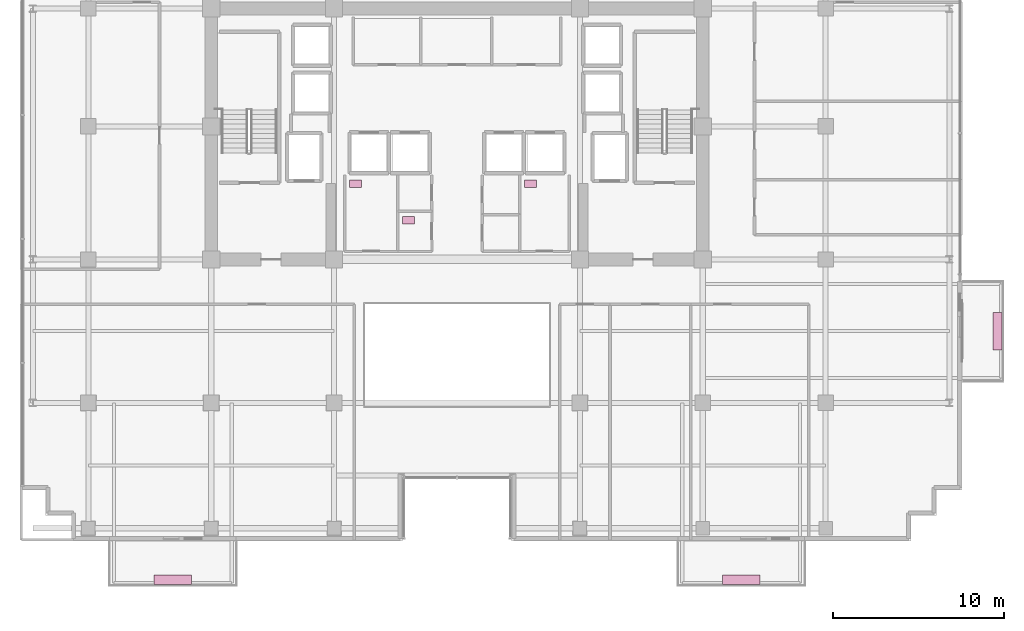
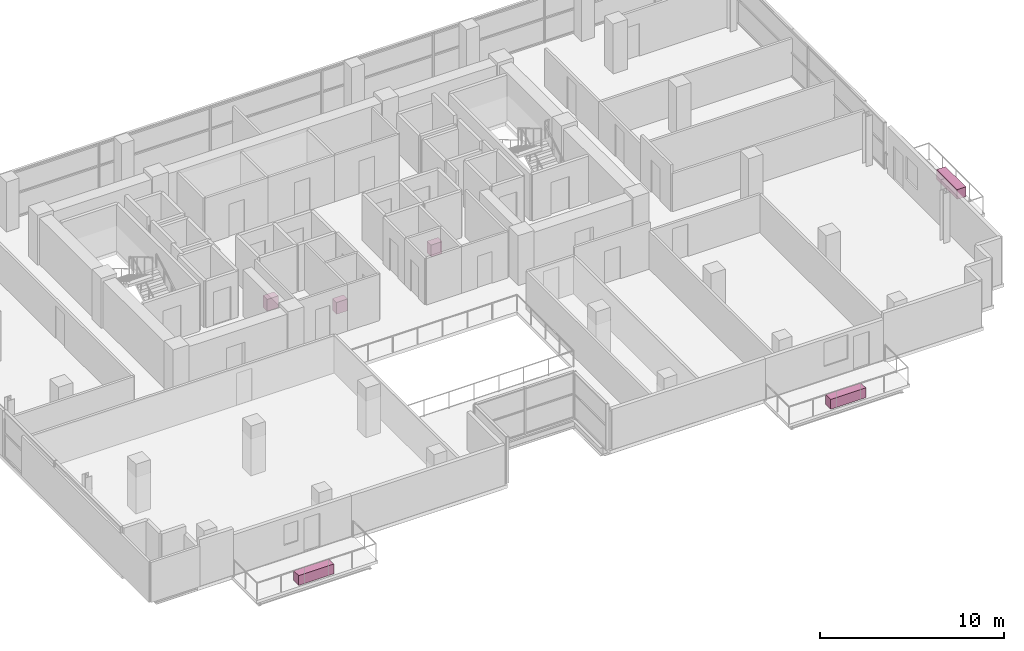
# One storey, part 24 of 24: 6 furnishings.
"""IFC4 building model written with IfcOpenShell, lengths in metres."""

import ifcopenshell
import ifcopenshell.guid

model = None  # the IFC model being written
_history = None  # IfcOwnerHistory: only IFC2X3 demands one
_inside = {}  # id of a spatial element -> (the spatial element, [elements in it])
_under = {}  # id of a project, library or spatial element -> (it, [spatial elements below it])
_declared = {}  # id of a project -> (the project, [libraries it declares])
_typed = {}  # id of a type object -> (the type object, [elements of that type])
_made_of = {}  # id of a material, layer set ... -> (it, [elements and type objects made of it])


def new_model(schema):
    """Start an empty IFC model of exactly this schema.

    Asked for "IFC4X3", IfcOpenShell would pick the latest addendum, in which some entities
    have other attributes; the version numbers below select the first issue.
    IFC2X3 requires an IfcOwnerHistory on every rooted entity: one is made here for all.
    """
    global model, _history
    if schema == "IFC4X3":
        model = ifcopenshell.file(schema_version=(4, 3, 0, 0))
    else:
        model = ifcopenshell.file(schema=schema)
    _inside.clear()
    _under.clear()
    _declared.clear()
    _typed.clear()
    _made_of.clear()
    _history = None
    if model.schema == "IFC2X3":
        org = make("IfcOrganization", Name="unknown")
        user = make(
            "IfcPersonAndOrganization",
            ThePerson=make("IfcPerson", FamilyName="unknown"),
            TheOrganization=org,
        )
        app = make(
            "IfcApplication",
            ApplicationDeveloper=org,
            Version="unknown",
            ApplicationFullName="unknown",
            ApplicationIdentifier="unknown",
        )
        _history = make(
            "IfcOwnerHistory",
            OwningUser=user,
            OwningApplication=app,
            ChangeAction="ADDED",
            CreationDate=0,
        )
    return model


def make(cls, **values):
    """One entity of the class cls with the attributes given. An attribute that is None is left unset."""
    return model.create_entity(
        cls, **{name: value for name, value in values.items() if value is not None}
    )


def rooted(cls, **values):
    """An entity with a GlobalId (a new one), such as an element, a storey or a relation."""
    return make(cls, GlobalId=ifcopenshell.guid.new(), OwnerHistory=_history, **values)


def si_unit(unit_type, name, prefix=None):
    """IfcSIUnit, for example si_unit("LENGTHUNIT", "METRE", prefix="MILLI")."""
    return make("IfcSIUnit", UnitType=unit_type, Prefix=prefix, Name=name)


def assignment(units):
    """IfcUnitAssignment: the units of a project."""
    return None if units is None else make("IfcUnitAssignment", Units=units)


def point(xyz):
    """IfcCartesianPoint."""
    return None if xyz is None else make("IfcCartesianPoint", Coordinates=xyz)


def direction(xyz):
    """IfcDirection."""
    return None if xyz is None else make("IfcDirection", DirectionRatios=xyz)


def frame(location, z_axis=None, x_axis=None):
    """IfcAxis2Placement3D, a coordinate frame: its origin and axes. An axis left out is left unset."""
    return make(
        "IfcAxis2Placement3D",
        Location=point(location),
        Axis=direction(z_axis),
        RefDirection=direction(x_axis),
    )


def frame_2d(location, x_axis=None):
    """IfcAxis2Placement2D, a coordinate frame in the plane: its origin and x axis."""
    return make(
        "IfcAxis2Placement2D", Location=point(location), RefDirection=direction(x_axis)
    )


def origin():
    """The frame at (0, 0, 0) with its axes left unset."""
    return frame((0.0, 0.0, 0.0))


def origin_2d():
    """The frame at (0, 0) in the plane with its x axis left unset."""
    return frame_2d((0.0, 0.0))


def place(relative_to, where):
    """IfcLocalPlacement: puts the frame where relative to a parent placement (None: the world)."""
    return make(
        "IfcLocalPlacement", PlacementRelTo=relative_to, RelativePlacement=where
    )


def context(
    kind, dimensions, precision=None, world=None, true_north=None, identifier=None
):
    """IfcGeometricRepresentationContext, for example the 3D "Model" context."""
    return make(
        "IfcGeometricRepresentationContext",
        ContextIdentifier=identifier,
        ContextType=kind,
        CoordinateSpaceDimension=dimensions,
        Precision=precision,
        WorldCoordinateSystem=world,
        TrueNorth=true_north,
    )


def subcontext(parent, identifier, kind, view, scale=None):
    """IfcGeometricRepresentationSubContext, for example "Body" below "Model"."""
    return make(
        "IfcGeometricRepresentationSubContext",
        ContextIdentifier=identifier,
        ContextType=kind,
        ParentContext=parent,
        TargetScale=scale,
        TargetView=view,
    )


def project(units=None, contexts=None):
    """IfcProject with its units and contexts."""
    return rooted(
        "IfcProject",
        Name="project",
        RepresentationContexts=contexts,
        UnitsInContext=assignment(units),
    )


def spatial(cls, under=None, at=None, **own):
    """A site, building, storey or space (cls), placed at a placement, below another one or the project."""
    s = rooted(cls, ObjectPlacement=at, **own)
    if under is not None:
        _under.setdefault(under.id(), (under, []))[1].append(s)
    return s


def profile(cls, at=None, kind="AREA", **sizes):
    """A parametric profile (cls). Its sizes go by their IFC names, for example OverallWidth=200.0."""
    return make(cls, ProfileType=kind, Position=at, **sizes)


def rectangle(**sizes):
    """IfcRectangleProfileDef."""
    return profile("IfcRectangleProfileDef", **sizes)


def extrude(swept, where, along, depth):
    """IfcExtrudedAreaSolid: the profile swept, set in the frame where, extruded along a direction by depth."""
    return make(
        "IfcExtrudedAreaSolid",
        SweptArea=swept,
        Position=where,
        ExtrudedDirection=direction(along),
        Depth=depth,
    )


def shape(context_of_items, identifier, shape_type, items):
    """IfcShapeRepresentation: the items that make up one representation, for example the "Body"."""
    return make(
        "IfcShapeRepresentation",
        ContextOfItems=context_of_items,
        RepresentationIdentifier=identifier,
        RepresentationType=shape_type,
        Items=items,
    )


def source(mapping_origin, context_of_items, identifier, shape_type, items):
    """IfcRepresentationMap: a shape defined once, which mapped items show again and again."""
    return make(
        "IfcRepresentationMap",
        MappingOrigin=mapping_origin,
        MappedRepresentation=shape(context_of_items, identifier, shape_type, items),
    )


def transform(
    local_origin,
    x_axis=None,
    y_axis=None,
    z_axis=None,
    scale=None,
    scale2=None,
    scale3=None,
    uniform=True,
):
    """IfcCartesianTransformationOperator3D, or its non-uniform kind. x_axis, y_axis, z_axis: its Axis1, 2, 3."""
    if uniform:
        return make(
            "IfcCartesianTransformationOperator3D",
            Axis1=direction(x_axis),
            Axis2=direction(y_axis),
            LocalOrigin=point(local_origin),
            Scale=scale,
            Axis3=direction(z_axis),
        )
    return make(
        "IfcCartesianTransformationOperator3DnonUniform",
        Axis1=direction(x_axis),
        Axis2=direction(y_axis),
        LocalOrigin=point(local_origin),
        Scale=scale,
        Axis3=direction(z_axis),
        Scale2=scale2,
        Scale3=scale3,
    )


def mapped(mapping_source, mapping_target):
    """IfcMappedItem: shows the shape of a source again, moved by a transform."""
    return make(
        "IfcMappedItem", MappingSource=mapping_source, MappingTarget=mapping_target
    )


def material(Name=None, Category=None):
    """IfcMaterial."""
    return make("IfcMaterial", Name=Name, Category=Category)


def made_of(thing, what):
    """Note that an element or type object is made of a material, layer set ...; save() writes the relation."""
    if what is not None:
        _made_of.setdefault(what.id(), (what, []))[1].append(thing)
    return thing


def type_object(cls, material=None, **own):
    """A type object (cls), such as IfcWallType, which elements share."""
    return made_of(rooted(cls, **own), material)


def element(
    cls,
    number,
    at=None,
    inside=None,
    cuts=None,
    type_object=None,
    material=None,
    context=None,
    identifier="Body",
    shape_type=None,
    held_by="IfcProductDefinitionShape",
    body=None,
    shapes=None,
    **own,
):
    """One element of the class cls, such as IfcWall. Its Tag is "e" and its number.

    at: its placement. inside: the storey or other place that contains it. cuts: it is an
    opening in that element (IfcRelVoidsElement). A single representation is given by context,
    identifier, shape_type and body (its items); several are given by shapes. held_by: the class
    of the entity that holds the representations. save() writes the other relations.
    """
    e = rooted(cls, Tag="e%d" % number, ObjectPlacement=at, **own)
    if body is not None:
        shapes = [shape(context, identifier, shape_type, body)]
    if shapes is not None:
        e.Representation = make(held_by, Representations=shapes)
    if inside is not None:
        _inside.setdefault(inside.id(), (inside, []))[1].append(e)
    if cuts is not None:
        rooted(
            "IfcRelVoidsElement", RelatingBuildingElement=cuts, RelatedOpeningElement=e
        )
    if type_object is not None:
        _typed.setdefault(type_object.id(), (type_object, []))[1].append(e)
    return made_of(e, material)


def aggregate(whole, parts):
    """IfcRelAggregates: a whole, such as a stair, and the parts it consists of."""
    return rooted("IfcRelAggregates", RelatingObject=whole, RelatedObjects=parts)


def save(model, path):
    """Write the relations noted so far, then the file.

    IfcRelAggregates (storeys below a building ...), IfcRelContainedInSpatialStructure (elements
    in a storey), IfcRelDefinesByType, IfcRelAssociatesMaterial and IfcRelDeclares: one each for
    every whole, place, type object, material and project.
    """
    for whole, parts in _under.values():
        aggregate(whole, parts)
    for where, things in _inside.values():
        rooted(
            "IfcRelContainedInSpatialStructure",
            RelatedElements=things,
            RelatingStructure=where,
        )
    for kind, things in _typed.values():
        rooted("IfcRelDefinesByType", RelatedObjects=things, RelatingType=kind)
    for what, things in _made_of.values():
        rooted("IfcRelAssociatesMaterial", RelatedObjects=things, RelatingMaterial=what)
    for by, libraries in _declared.values():
        rooted("IfcRelDeclares", RelatingContext=by, RelatedDefinitions=libraries)
    model.write(path)


model = new_model("IFC4")

# Units and contexts
model_context = context("Model", 3, precision=1e-05, world=origin(), true_north=direction((0.0, 1.0)))
body_context = subcontext(model_context, "Body", "Model", "MODEL_VIEW")
ifc_project = project(units=[si_unit("LENGTHUNIT", "METRE"), si_unit("AREAUNIT", "SQUARE_METRE"), si_unit("VOLUMEUNIT", "CUBIC_METRE"), si_unit("PLANEANGLEUNIT", "RADIAN"), si_unit("MASSUNIT", "GRAM", prefix="KILO")], contexts=[model_context])

# Site, building, storey
site_placement = place(None, origin())
site = spatial("IfcSite", under=ifc_project, at=site_placement, CompositionType="ELEMENT")
building_placement = place(site_placement, origin())
building = spatial("IfcBuilding", under=site, at=building_placement, Name="Zarnakvel Exchange Tower", CompositionType="ELEMENT")
storey_placement = place(building_placement, frame((0.0, 0.0, 133.0)))
storey = spatial("IfcBuildingStorey", under=building, at=storey_placement, Name="L37", CompositionType="ELEMENT", Elevation=133.0)

# Furnishings
ifc_material_1 = material(Name="Architectural Bronze Anodised Aluminium", Category="aluminium")
furnishing_element_type_1 = type_object("IfcFurnishingElementType", Name="PLNT-01", material=ifc_material_1)
shared_shape_1 = source(origin(), body_context, "Body", "SweptSolid", [
    extrude(rectangle(XDim=2.199951171875, YDim=0.550048828125, at=origin_2d()), origin(), (0.0, 0.0, 1.0), 0.64990234375),
])
for number, where, z_axis, x_axis, name in (
    (1, (-16.64990234375, -19.969970703125, -0.034912109375), (0.0, 0.0, 1.0), (1.0, 0.0, 0.0), "L37 Balcony Greenery Planter BAL-L37-SW"),
    (2, (16.64990234375, -19.969970703125, -0.034912109375), (0.0, 0.0, 1.0), (1.0, 0.0, 0.0), "L37 Balcony Greenery Planter BAL-L37-SE"),
    (3, (31.669921875, -5.39990234375, -0.034912109375), (0.0, 0.0, 1.0), (0.0, 1.0, 0.0), "L37 Balcony Greenery Planter BAL-L37-E"),
):
    element("IfcFurnishingElement", number, at=place(storey_placement, frame(where, z_axis=z_axis, x_axis=x_axis)), inside=storey, type_object=furnishing_element_type_1, Name=name, ObjectType="PLANTER", context=body_context, shape_type="MappedRepresentation", body=[
        mapped(shared_shape_1, transform((0.0, 0.0, 0.0), x_axis=(1.0, 0.0, 0.0), y_axis=(0.0, 1.0, 0.0), z_axis=(0.0, 0.0, 1.0), scale=1.0)),
    ])
ifc_material_2 = material(Name="Vitreous China Sanitaryware", Category="ceramic")
furnishing_element_type_2 = type_object("IfcFurnishingElementType", Name="SAN-WC", material=ifc_material_2)
shared_shape_2 = source(origin(), body_context, "Body", "SweptSolid", [
    extrude(rectangle(XDim=0.699951171875, YDim=0.449951171875, at=origin_2d()), origin(), (0.0, 0.0, 1.0), 0.780029296875),
])
for number, where, z_axis, x_axis, name in (
    (4, (-5.949951171875, 3.22998046875, 0.0), (0.0, 0.0, 1.0), (1.0, 0.0, 0.0), "L37 Sanitary Fixture (Male Toilet)"),
    (5, (-2.840087890625, 1.10009765625, 0.0), (0.0, 0.0, 1.0), (1.0, 0.0, 0.0), "L37 Sanitary Fixture (Accessible Toilet)"),
    (6, (4.31005859375, 3.22998046875, 0.0), (0.0, 0.0, 1.0), (1.0, 0.0, 0.0), "L37 Sanitary Fixture (Female Toilet)"),
):
    element("IfcFurnishingElement", number, at=place(storey_placement, frame(where, z_axis=z_axis, x_axis=x_axis)), inside=storey, type_object=furnishing_element_type_2, Name=name, ObjectType="SANITARY_FIXTURE", context=body_context, shape_type="MappedRepresentation", body=[
        mapped(shared_shape_2, transform((0.0, 0.0, 0.0), x_axis=(1.0, 0.0, 0.0), y_axis=(0.0, 1.0, 0.0), z_axis=(0.0, 0.0, 1.0), scale=1.0)),
    ])

save(model, "model.ifc")
